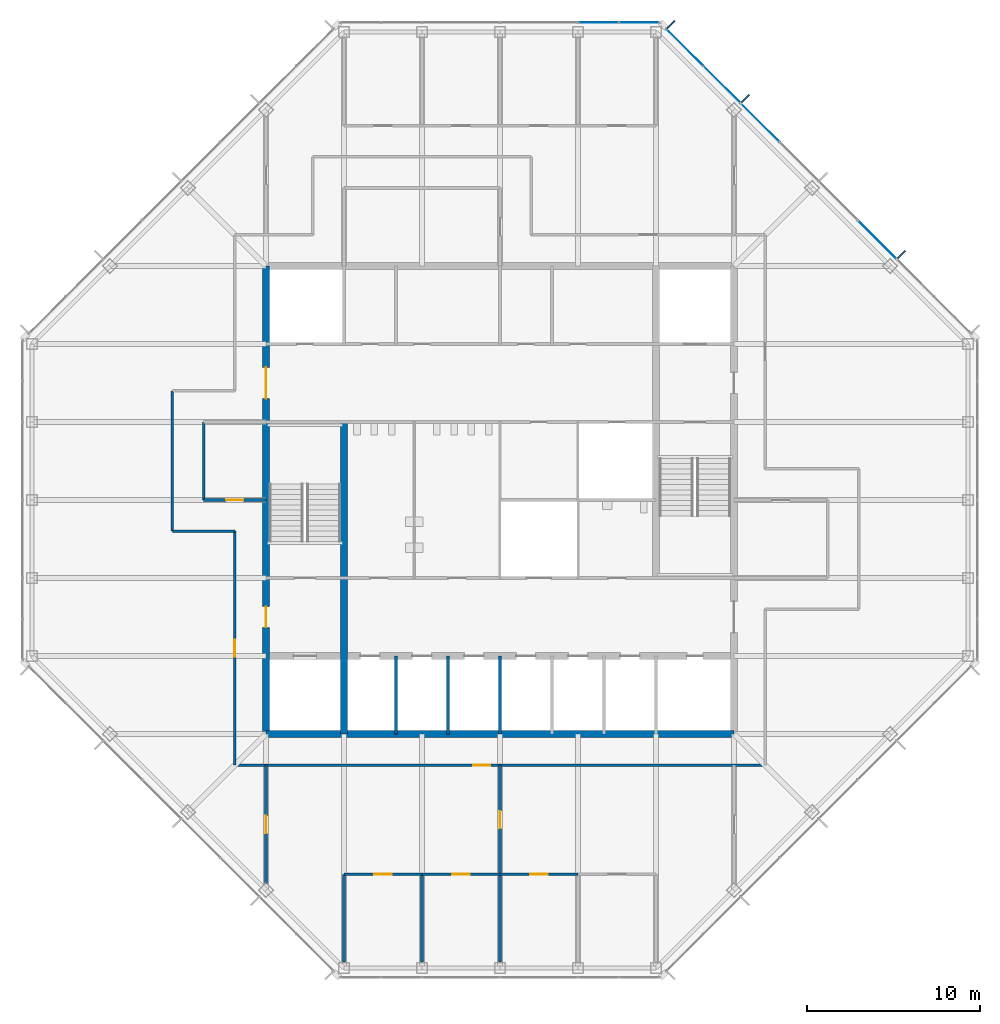
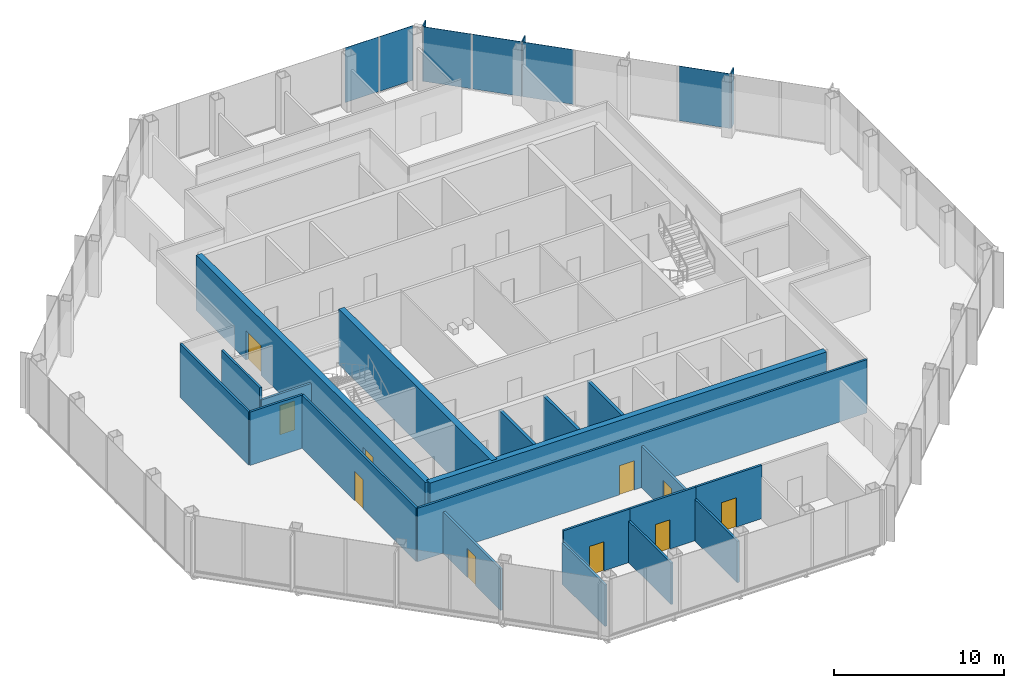
# One storey, part 9 of 14: 20 walls, 10 doors, 9 plates, 10 openings, 2 elements without a shape of their own.
"""IFC4 building model written with IfcOpenShell, lengths in metres."""

from ifc_helpers import new_model, si_unit, direction, frame, frame_2d, origin, origin_2d, place, context, subcontext, project, spatial, rectangle, extrude, material, layer, layer_set, type_object, element, fill, aggregate, save


model = new_model("IFC4")

# Units and contexts
model_context = context("Model", 3, precision=1e-05, world=origin(), true_north=direction((0.0, 1.0)))
body_context = subcontext(model_context, "Body", "Model", "MODEL_VIEW")
ifc_project = project(units=[si_unit("LENGTHUNIT", "METRE"), si_unit("AREAUNIT", "SQUARE_METRE"), si_unit("VOLUMEUNIT", "CUBIC_METRE"), si_unit("PLANEANGLEUNIT", "RADIAN"), si_unit("MASSUNIT", "GRAM", prefix="KILO")], contexts=[model_context])

# Site, building, storey
site_placement = place(None, origin())
site = spatial("IfcSite", under=ifc_project, at=site_placement, CompositionType="ELEMENT")
building_placement = place(site_placement, origin())
building = spatial("IfcBuilding", under=site, at=building_placement, Name="Corais Broadcast Tower", CompositionType="ELEMENT")
storey_placement = place(building_placement, frame((0.0, 0.0, 250.60009765625)))
storey = spatial("IfcBuildingStorey", under=building, at=storey_placement, Name="L58", CompositionType="ELEMENT", Elevation=250.60009765625)

# Curtain wall, plate
ifc_material_1 = material(Name="Aluminium and glass", Category="aluminium")
curtain_wall_type = type_object("IfcCurtainWallType", Name="Unitised fritted curtain wall CW3", PredefinedType="NOTDEFINED", material=ifc_material_1)
curtain_wall_1_placement = place(storey_placement, origin())
curtain_wall_1 = element("IfcCurtainWall", 1, at=curtain_wall_1_placement, inside=storey, type_object=curtain_wall_type, Name="CW3 curtain wall L58 4", PredefinedType="NOTDEFINED")
ifc_material_2 = material(Name="Ceramic-fritted laminated glass", Category="glass")
ifc_layer_1 = layer(ifc_material_2, 0.02587890625)
ifc_layer_set_1 = layer_set([ifc_layer_1], Name="Ceramic-fritted laminated glass")
plate_type_1 = type_object("IfcPlateType", Name="Fritted glass panel CW3", PredefinedType="CURTAIN_PANEL", material=ifc_layer_set_1)
plate_1_placement = place(storey_placement, frame((32.681884765625, 54.550048828125, 0.06494140625), z_axis=(0.0, 0.0, 1.0), x_axis=(1.0, 0.0, 0.0)))
plate_1 = element("IfcPlate", 2, at=plate_1_placement, type_object=plate_type_1, Name="CW3 panel 5", PredefinedType="CURTAIN_PANEL", context=body_context, shape_type="SweptSolid", body=[
    extrude(rectangle(XDim=2.298828125, YDim=0.02587890625, at=origin_2d()), origin(), (0.0, 0.0, 1.0), 3.93505859375),
])

# Curtain wall, plates
curtain_wall_2_placement = place(storey_placement, origin())
curtain_wall_2 = element("IfcCurtainWall", 3, at=curtain_wall_2_placement, inside=storey, type_object=curtain_wall_type, Name="CW3 curtain wall L58 5", PredefinedType="NOTDEFINED")
plate_2_placement = place(storey_placement, frame((37.669677734375, 53.108154296875, 0.06494140625), z_axis=(0.0, 0.0, 1.0), x_axis=(0.707106781187, -0.707106781187, 0.0)))
plate_2 = element("IfcPlate", 4, at=plate_2_placement, type_object=plate_type_1, Name="CW3 panel 1", PredefinedType="CURTAIN_PANEL", context=body_context, shape_type="SweptSolid", body=[
    extrude(rectangle(XDim=2.9482421875, YDim=0.02587890625, at=origin_2d()), origin(), (0.0, 0.0, 1.0), 3.93505859375),
])
plate_3_placement = place(storey_placement, frame((42.013916015625, 48.763916015625, 0.06494140625), z_axis=(0.0, 0.0, 1.0), x_axis=(0.707106781187, -0.707106781187, 0.0)))
plate_3 = element("IfcPlate", 5, at=plate_3_placement, type_object=plate_type_1, Name="CW3 panel 3", PredefinedType="CURTAIN_PANEL", context=body_context, shape_type="SweptSolid", body=[
    extrude(rectangle(XDim=3.116943359375, YDim=0.02587890625, at=origin_2d()), origin(), (0.0, 0.0, 1.0), 3.93505859375),
])

# Plate
ifc_material_3 = material(Name="Clear laminated glass", Category="glass")
ifc_layer_2 = layer(ifc_material_3, 0.030029296875)
ifc_layer_set_2 = layer_set([ifc_layer_2], Name="Clear laminated glass")
plate_type_2 = type_object("IfcPlateType", Name="Operable glass panel CW3", PredefinedType="CURTAIN_PANEL", material=ifc_layer_set_2)
plate_4_placement = place(storey_placement, frame((35.029541015625, 54.550048828125, 0.06494140625), z_axis=(0.0, 0.0, 1.0), x_axis=(1.0, 0.0, 0.0)))
plate_4 = element("IfcPlate", 6, at=plate_4_placement, type_object=plate_type_2, Name="CW3 operable panel 6", PredefinedType="CURTAIN_PANEL", context=body_context, shape_type="SweptSolid", body=[
    extrude(rectangle(XDim=2.266357421875, YDim=0.030029296875, at=origin_2d()), origin(), (0.0, 0.0, 1.0), 3.93505859375),
])

aggregate(curtain_wall_1, [plate_1, plate_4])

plate_5_placement = place(storey_placement, frame((39.81201171875, 50.9658203125, 0.06494140625), z_axis=(0.0, 0.0, 1.0), x_axis=(0.707106781187, -0.707106781187, 0.0)))
plate_5 = element("IfcPlate", 7, at=plate_5_placement, type_object=plate_type_2, Name="CW3 operable panel 2", PredefinedType="CURTAIN_PANEL", context=body_context, shape_type="SweptSolid", body=[
    extrude(rectangle(XDim=2.98095703125, YDim=0.030029296875, at=origin_2d()), origin(), (0.0, 0.0, 1.0), 3.93505859375),
])

plate_6_placement = place(storey_placement, frame((48.763916015625, 42.013916015625, 0.06494140625), z_axis=(0.0, 0.0, 1.0), x_axis=(0.707106781187, -0.707106781187, 0.0)))
plate_6 = element("IfcPlate", 8, at=plate_6_placement, type_object=plate_type_2, Name="CW3 operable panel 6", PredefinedType="CURTAIN_PANEL", context=body_context, shape_type="SweptSolid", body=[
    extrude(rectangle(XDim=3.116943359375, YDim=0.030029296875, at=origin_2d()), origin(), (0.0, 0.0, 1.0), 3.93505859375),
])

aggregate(curtain_wall_2, [plate_2, plate_5, plate_3, plate_6])

# Plates
ifc_material_4 = material(Name="Granite stone cladding", Category="masonry")
ifc_layer_3 = layer(ifc_material_4, 0.080078125)
ifc_layer_set_3 = layer_set([ifc_layer_3], Name="Granite stone cladding")
plate_type_3 = type_object("IfcPlateType", Name="Stone screen fin 80x600", PredefinedType="USERDEFINED", material=ifc_layer_set_3)
for number, where, z_axis, x_axis, name in (
    (9, (36.870849609375, 54.43994140625, 0.0), (0.0, 0.0, 1.0), (0.707106781187, -0.707106781187, 0.0), "SF1 stone screen fin L58"),
    (10, (41.155517578125, 50.155517578125, 0.0), (0.0, 0.0, 1.0), (0.707106781187, -0.707106781187, 0.0), "SF1 stone screen fin L58"),
    (11, (50.155517578125, 41.155517578125, 0.0), (0.0, 0.0, 1.0), (0.707106781187, -0.707106781187, 0.0), "SF1 stone screen fin L58"),
):
    element("IfcPlate", number, at=place(storey_placement, frame(where, z_axis=z_axis, x_axis=x_axis)), inside=storey, type_object=plate_type_3, Name=name, ObjectType="STONE SCREEN FIN", PredefinedType="USERDEFINED", context=body_context, shape_type="SweptSolid", body=[
        extrude(rectangle(XDim=0.080078125, YDim=0.60009765625, at=origin_2d()), origin(), (0.0, 0.0, 1.0), 4.0),
    ])

# Wall
ifc_material_5 = material(Name="Concrete C50/60", Category="concrete")
ifc_layer_4 = layer(ifc_material_5, 0.39990234375)
ifc_layer_set_4 = layer_set([ifc_layer_4], Name="Concrete C50/60")
wall_type_1 = type_object("IfcWallType", Name="Core wall 400", PredefinedType="SHEAR", material=ifc_layer_set_4)
wall_1_placement = place(storey_placement, frame((13.5, 13.5, 0.0), z_axis=(0.0, 0.0, 1.0), x_axis=(1.0, 0.0, 0.0)))
element("IfcWall", 12, at=wall_1_placement, inside=storey, type_object=wall_type_1, Name="CR400 core wall S L58", PredefinedType="SHEAR", context=body_context, shape_type="SweptSolid", body=[
    extrude(rectangle(XDim=27.0, YDim=0.39990234375, at=frame_2d((13.5, 0.0))), origin(), (0.0, 0.0, 1.0), 4.0),
])

# Wall, openings, doors
wall_2_placement = place(storey_placement, frame((13.5, 40.5, 0.0), z_axis=(0.0, 0.0, 1.0), x_axis=(0.0, -1.0, 0.0)))
wall_2 = element("IfcWall", 13, at=wall_2_placement, inside=storey, type_object=wall_type_1, Name="CR400 core wall W L58", PredefinedType="SHEAR", context=body_context, shape_type="SweptSolid", body=[
    extrude(rectangle(XDim=27.0, YDim=0.39990234375, at=frame_2d((13.5, 0.0))), origin(), (0.0, 0.0, 1.0), 4.0),
])
opening_1_placement = place(wall_2_placement, frame((19.64990234375, 0.0, 0.0)))
opening_1 = element("IfcOpeningElement", 14, at=opening_1_placement, cuts=wall_2, Name="Opening FD1", PredefinedType="OPENING", context=body_context, shape_type="SweptSolid", body=[
    extrude(rectangle(XDim=1.199951171875, YDim=2.10009765625, at=frame_2d((0.60009765625, 1.050048828125))), frame((0.0, 0.2099609375, 0.0), z_axis=(0.0, -1.0, 0.0), x_axis=(1.0, 0.0, 0.0)), (0.0, 0.0, 1.0), 0.419921875),
])
opening_2_placement = place(wall_2_placement, frame((5.85009765625, 0.0, 0.0)))
opening_2 = element("IfcOpeningElement", 15, at=opening_2_placement, cuts=wall_2, Name="Opening FD2", PredefinedType="OPENING", context=body_context, shape_type="SweptSolid", body=[
    extrude(rectangle(XDim=1.800048828125, YDim=2.10009765625, at=frame_2d((0.89990234375, 1.050048828125))), frame((0.0, 0.2099609375, 0.0), z_axis=(0.0, -1.0, 0.0), x_axis=(1.0, 0.0, 0.0)), (0.0, 0.0, 1.0), 0.419921875),
])
ifc_material_6 = material(Name="Steel fire door", Category="steel")
door_type_1 = type_object("IfcDoorType", Name="Fire door 1200x2100", OperationType="SINGLE_SWING_LEFT", PredefinedType="DOOR", material=ifc_material_6)
door_1_placement = place(opening_1_placement, origin())
door_1 = element("IfcDoor", 16, at=door_1_placement, inside=storey, type_object=door_type_1, Name="FD1 fire lobby A door L58", OperationType="SINGLE_SWING_RIGHT", OverallHeight=2.10009765625, OverallWidth=1.199951171875, PredefinedType="DOOR", context=body_context, shape_type="SweptSolid", body=[
    extrude(rectangle(XDim=1.199951171875, YDim=2.10009765625, at=frame_2d((0.60009765625, 1.050048828125))), frame((0.0, 0.02490234375, 0.0), z_axis=(0.0, -1.0, 0.0), x_axis=(1.0, 0.0, 0.0)), (0.0, 0.0, 1.0), 0.050048828125),
])
fill(opening_1, door_1)
ifc_material_7 = material(Name="Steel fire door", Category="steel")
door_type_2 = type_object("IfcDoorType", Name="Fire door pair 1800x2100", OperationType="DOUBLE_DOOR_SINGLE_SWING", PredefinedType="DOOR", material=ifc_material_7)
door_2_placement = place(opening_2_placement, origin())
door_2 = element("IfcDoor", 17, at=door_2_placement, inside=storey, type_object=door_type_2, Name="FD2 lift lobby door L58", OperationType="SINGLE_SWING_LEFT", OverallHeight=2.10009765625, OverallWidth=1.800048828125, PredefinedType="DOOR", context=body_context, shape_type="SweptSolid", body=[
    extrude(rectangle(XDim=1.800048828125, YDim=2.10009765625, at=frame_2d((0.89990234375, 1.050048828125))), frame((0.0, 0.02490234375, 0.0), z_axis=(0.0, -1.0, 0.0), x_axis=(1.0, 0.0, 0.0)), (0.0, 0.0, 1.0), 0.050048828125),
])
fill(opening_2, door_2)

# Wall
wall_3_placement = place(storey_placement, frame((18.0, 13.5, 0.0), z_axis=(0.0, 0.0, 1.0), x_axis=(0.0, 1.0, 0.0)))
element("IfcWall", 18, at=wall_3_placement, inside=storey, type_object=wall_type_1, Name="CR400 core wall X18A L58", PredefinedType="SHEAR", context=body_context, shape_type="SweptSolid", body=[
    extrude(rectangle(XDim=18.0, YDim=0.39990234375, at=frame_2d((9.0, 0.0))), origin(), (0.0, 0.0, 1.0), 4.0),
])

# Wall, opening, door
ifc_material_8 = material(Name="Gypsum board on steel studs", Category="steel")
ifc_layer_5 = layer(ifc_material_8, 0.14990234375)
ifc_layer_set_5 = layer_set([ifc_layer_5], Name="Gypsum board on steel studs")
wall_type_2 = type_object("IfcWallType", Name="Partition 150", PredefinedType="PARTITIONING", material=ifc_layer_set_5)
wall_4_placement = place(storey_placement, frame((11.699951171875, 11.699951171875, 0.0), z_axis=(0.0, 0.0, 1.0), x_axis=(1.0, 0.0, 0.0)))
wall_4 = element("IfcWall", 19, at=wall_4_placement, inside=storey, type_object=wall_type_2, Name="IW3 corridor wall L58", PredefinedType="PARTITIONING", context=body_context, shape_type="SweptSolid", body=[
    extrude(rectangle(XDim=30.60009765625, YDim=0.14990234375, at=frame_2d((15.300048828125, 0.0))), origin(), (0.0, 0.0, 1.0), 3.83984375),
])
opening_3_placement = place(wall_4_placement, frame((13.75, 0.0, 0.0)))
opening_3 = element("IfcOpeningElement", 20, at=opening_3_placement, cuts=wall_4, Name="Opening D1", PredefinedType="OPENING", context=body_context, shape_type="SweptSolid", body=[
    extrude(rectangle(XDim=1.0, YDim=2.10009765625, at=frame_2d((0.5, 1.050048828125))), frame((0.0, 0.0849609375, 0.0), z_axis=(0.0, -1.0, 0.0), x_axis=(1.0, 0.0, 0.0)), (0.0, 0.0, 1.0), 0.169921875),
])
ifc_material_9 = material(Name="Timber door", Category="wood")
door_type_3 = type_object("IfcDoorType", Name="Single door 1000x2100", OperationType="SINGLE_SWING_LEFT", PredefinedType="DOOR", material=ifc_material_9)
door_3_placement = place(opening_3_placement, origin())
door_3 = element("IfcDoor", 21, at=door_3_placement, inside=storey, type_object=door_type_3, Name="D1 workplace door L58", OperationType="SINGLE_SWING_LEFT", OverallHeight=2.10009765625, OverallWidth=1.0, PredefinedType="DOOR", context=body_context, shape_type="SweptSolid", body=[
    extrude(rectangle(XDim=1.0, YDim=2.10009765625, at=frame_2d((0.5, 1.050048828125))), frame((0.0, 0.02490234375, 0.0), z_axis=(0.0, -1.0, 0.0), x_axis=(1.0, 0.0, 0.0)), (0.0, 0.0, 1.0), 0.050048828125),
])
fill(opening_3, door_3)

wall_5_placement = place(storey_placement, frame((11.699951171875, 25.199951171875, 0.0), z_axis=(0.0, 0.0, 1.0), x_axis=(0.0, -1.0, 0.0)))
wall_5 = element("IfcWall", 22, at=wall_5_placement, inside=storey, type_object=wall_type_2, Name="IW3 corridor wall L58", PredefinedType="PARTITIONING", context=body_context, shape_type="SweptSolid", body=[
    extrude(rectangle(XDim=13.5, YDim=0.14990234375, at=frame_2d((6.75, 0.0))), origin(), (0.0, 0.0, 1.0), 3.83984375),
])
opening_4_placement = place(wall_5_placement, frame((6.25, 0.0, 0.0)))
opening_4 = element("IfcOpeningElement", 23, at=opening_4_placement, cuts=wall_5, Name="Opening D1", PredefinedType="OPENING", context=body_context, shape_type="SweptSolid", body=[
    extrude(rectangle(XDim=1.0, YDim=2.10009765625, at=frame_2d((0.5, 1.050048828125))), frame((0.0, 0.0849609375, 0.0), z_axis=(0.0, -1.0, 0.0), x_axis=(1.0, 0.0, 0.0)), (0.0, 0.0, 1.0), 0.169921875),
])
door_4_placement = place(opening_4_placement, origin())
door_4 = element("IfcDoor", 24, at=door_4_placement, inside=storey, type_object=door_type_3, Name="D1 workplace door L58", OperationType="SINGLE_SWING_LEFT", OverallHeight=2.10009765625, OverallWidth=1.0, PredefinedType="DOOR", context=body_context, shape_type="SweptSolid", body=[
    extrude(rectangle(XDim=1.0, YDim=2.10009765625, at=frame_2d((0.5, 1.050048828125))), frame((0.0, 0.02490234375, 0.0), z_axis=(0.0, -1.0, 0.0), x_axis=(1.0, 0.0, 0.0)), (0.0, 0.0, 1.0), 0.050048828125),
])
fill(opening_4, door_4)

# Walls
wall_6_placement = place(storey_placement, frame((8.10009765625, 33.300048828125, 0.0), z_axis=(0.0, 0.0, 1.0), x_axis=(0.0, -1.0, 0.0)))
element("IfcWall", 25, at=wall_6_placement, inside=storey, type_object=wall_type_2, Name="IW3 corridor wall L58", PredefinedType="PARTITIONING", context=body_context, shape_type="SweptSolid", body=[
    extrude(rectangle(XDim=8.10009765625, YDim=0.14990234375, at=frame_2d((4.050048828125, 0.0))), origin(), (0.0, 0.0, 1.0), 3.83984375),
])
wall_7_placement = place(storey_placement, frame((8.10009765625, 25.199951171875, 0.0), z_axis=(0.0, 0.0, 1.0), x_axis=(1.0, 0.0, 0.0)))
element("IfcWall", 26, at=wall_7_placement, inside=storey, type_object=wall_type_2, Name="IW3 corridor wall L58", PredefinedType="PARTITIONING", context=body_context, shape_type="SweptSolid", body=[
    extrude(rectangle(XDim=3.599853515625, YDim=0.14990234375, at=frame_2d((1.7998046875, 0.0))), origin(), (0.0, 0.0, 1.0), 3.83984375),
])
wall_8_placement = place(storey_placement, frame((22.5, 0.3349609375, 0.0), z_axis=(0.0, 0.0, 1.0), x_axis=(0.0, 1.0, 0.0)))
element("IfcWall", 27, at=wall_8_placement, inside=storey, type_object=wall_type_2, Name="IW3 partition L58", PredefinedType="PARTITIONING", context=body_context, shape_type="SweptSolid", body=[
    extrude(rectangle(XDim=5.06494140625, YDim=0.14990234375, at=frame_2d((2.532470703125, 0.0))), origin(), (0.0, 0.0, 1.0), 2.989013671875),
])

# Wall, opening, door
wall_9_placement = place(storey_placement, frame((22.5, 5.39990234375, 0.0), z_axis=(0.0, 0.0, 1.0), x_axis=(-1.0, 0.0, 0.0)))
wall_9 = element("IfcWall", 28, at=wall_9_placement, inside=storey, type_object=wall_type_2, Name="IW3 partition L58", PredefinedType="PARTITIONING", context=body_context, shape_type="SweptSolid", body=[
    extrude(rectangle(XDim=4.5, YDim=0.14990234375, at=frame_2d((2.25, 0.0))), origin(), (0.0, 0.0, 1.0), 3.83984375),
])
opening_5_placement = place(wall_9_placement, frame((1.75, 0.0, 0.0)))
opening_5 = element("IfcOpeningElement", 29, at=opening_5_placement, cuts=wall_9, Name="Opening D1", PredefinedType="OPENING", context=body_context, shape_type="SweptSolid", body=[
    extrude(rectangle(XDim=1.0, YDim=2.10009765625, at=frame_2d((0.5, 1.050048828125))), frame((0.0, 0.0849609375, 0.0), z_axis=(0.0, -1.0, 0.0), x_axis=(1.0, 0.0, 0.0)), (0.0, 0.0, 1.0), 0.169921875),
])
door_5_placement = place(opening_5_placement, origin())
door_5 = element("IfcDoor", 30, at=door_5_placement, inside=storey, type_object=door_type_3, Name="D1 Office door", OperationType="SINGLE_SWING_LEFT", OverallHeight=2.10009765625, OverallWidth=1.0, PredefinedType="DOOR", context=body_context, shape_type="SweptSolid", body=[
    extrude(rectangle(XDim=1.0, YDim=2.10009765625, at=frame_2d((0.5, 1.050048828125))), frame((0.0, 0.02490234375, 0.0), z_axis=(0.0, -1.0, 0.0), x_axis=(1.0, 0.0, 0.0)), (0.0, 0.0, 1.0), 0.050048828125),
])
fill(opening_5, door_5)

# Walls
for number, where, z_axis, x_axis, name in (
    (31, (18.0, 5.39990234375, 0.0), (0.0, 0.0, 1.0), (0.0, -1.0, 0.0), "IW3 partition L58"),
    (32, (27.0, 0.3349609375, 0.0), (0.0, 0.0, 1.0), (0.0, 1.0, 0.0), "IW3 partition L58"),
):
    element("IfcWall", number, at=place(storey_placement, frame(where, z_axis=z_axis, x_axis=x_axis)), inside=storey, type_object=wall_type_2, Name=name, PredefinedType="PARTITIONING", context=body_context, shape_type="SweptSolid", body=[
        extrude(rectangle(XDim=5.06494140625, YDim=0.14990234375, at=frame_2d((2.532470703125, 0.0))), origin(), (0.0, 0.0, 1.0), 2.989013671875),
    ])

# Wall, opening, door
wall_10_placement = place(storey_placement, frame((27.0, 5.39990234375, 0.0), z_axis=(0.0, 0.0, 1.0), x_axis=(-1.0, 0.0, 0.0)))
wall_10 = element("IfcWall", 33, at=wall_10_placement, inside=storey, type_object=wall_type_2, Name="IW3 partition L58", PredefinedType="PARTITIONING", context=body_context, shape_type="SweptSolid", body=[
    extrude(rectangle(XDim=4.5, YDim=0.14990234375, at=frame_2d((2.25, 0.0))), origin(), (0.0, 0.0, 1.0), 3.83984375),
])
opening_6_placement = place(wall_10_placement, frame((1.75, 0.0, 0.0)))
opening_6 = element("IfcOpeningElement", 34, at=opening_6_placement, cuts=wall_10, Name="Opening D1", PredefinedType="OPENING", context=body_context, shape_type="SweptSolid", body=[
    extrude(rectangle(XDim=1.0, YDim=2.10009765625, at=frame_2d((0.5, 1.050048828125))), frame((0.0, 0.0849609375, 0.0), z_axis=(0.0, -1.0, 0.0), x_axis=(1.0, 0.0, 0.0)), (0.0, 0.0, 1.0), 0.169921875),
])
door_6_placement = place(opening_6_placement, origin())
door_6 = element("IfcDoor", 35, at=door_6_placement, inside=storey, type_object=door_type_3, Name="D1 Office door", OperationType="SINGLE_SWING_LEFT", OverallHeight=2.10009765625, OverallWidth=1.0, PredefinedType="DOOR", context=body_context, shape_type="SweptSolid", body=[
    extrude(rectangle(XDim=1.0, YDim=2.10009765625, at=frame_2d((0.5, 1.050048828125))), frame((0.0, 0.02490234375, 0.0), z_axis=(0.0, -1.0, 0.0), x_axis=(1.0, 0.0, 0.0)), (0.0, 0.0, 1.0), 0.050048828125),
])
fill(opening_6, door_6)

wall_11_placement = place(storey_placement, frame((31.5, 5.39990234375, 0.0), z_axis=(0.0, 0.0, 1.0), x_axis=(-1.0, 0.0, 0.0)))
wall_11 = element("IfcWall", 36, at=wall_11_placement, inside=storey, type_object=wall_type_2, Name="IW3 partition L58", PredefinedType="PARTITIONING", context=body_context, shape_type="SweptSolid", body=[
    extrude(rectangle(XDim=4.5, YDim=0.14990234375, at=frame_2d((2.25, 0.0))), origin(), (0.0, 0.0, 1.0), 3.83984375),
])
opening_7_placement = place(wall_11_placement, frame((1.75, 0.0, 0.0)))
opening_7 = element("IfcOpeningElement", 37, at=opening_7_placement, cuts=wall_11, Name="Opening D1", PredefinedType="OPENING", context=body_context, shape_type="SweptSolid", body=[
    extrude(rectangle(XDim=1.0, YDim=2.10009765625, at=frame_2d((0.5, 1.050048828125))), frame((0.0, 0.0849609375, 0.0), z_axis=(0.0, -1.0, 0.0), x_axis=(1.0, 0.0, 0.0)), (0.0, 0.0, 1.0), 0.169921875),
])
door_7_placement = place(opening_7_placement, origin())
door_7 = element("IfcDoor", 38, at=door_7_placement, inside=storey, type_object=door_type_3, Name="D1 Office door", OperationType="SINGLE_SWING_LEFT", OverallHeight=2.10009765625, OverallWidth=1.0, PredefinedType="DOOR", context=body_context, shape_type="SweptSolid", body=[
    extrude(rectangle(XDim=1.0, YDim=2.10009765625, at=frame_2d((0.5, 1.050048828125))), frame((0.0, 0.02490234375, 0.0), z_axis=(0.0, -1.0, 0.0), x_axis=(1.0, 0.0, 0.0)), (0.0, 0.0, 1.0), 0.050048828125),
])
fill(opening_7, door_7)

wall_12_placement = place(storey_placement, frame((9.89990234375, 27.0, 0.0), z_axis=(0.0, 0.0, 1.0), x_axis=(1.0, 0.0, 0.0)))
wall_12 = element("IfcWall", 39, at=wall_12_placement, inside=storey, type_object=wall_type_2, Name="IW3 partition L58", PredefinedType="PARTITIONING", context=body_context, shape_type="SweptSolid", body=[
    extrude(rectangle(XDim=3.60009765625, YDim=0.14990234375, at=frame_2d((1.800048828125, 0.0))), origin(), (0.0, 0.0, 1.0), 2.989013671875),
])
opening_8_placement = place(wall_12_placement, frame((1.300048828125, 0.0, 0.0)))
opening_8 = element("IfcOpeningElement", 40, at=opening_8_placement, cuts=wall_12, Name="Opening D1", PredefinedType="OPENING", context=body_context, shape_type="SweptSolid", body=[
    extrude(rectangle(XDim=1.0, YDim=2.10009765625, at=frame_2d((0.5, 1.050048828125))), frame((0.0, 0.0849609375, 0.0), z_axis=(0.0, -1.0, 0.0), x_axis=(1.0, 0.0, 0.0)), (0.0, 0.0, 1.0), 0.169921875),
])
door_8_placement = place(opening_8_placement, origin())
door_8 = element("IfcDoor", 41, at=door_8_placement, inside=storey, type_object=door_type_3, Name="D1 Pantry door", OperationType="SINGLE_SWING_LEFT", OverallHeight=2.10009765625, OverallWidth=1.0, PredefinedType="DOOR", context=body_context, shape_type="SweptSolid", body=[
    extrude(rectangle(XDim=1.0, YDim=2.10009765625, at=frame_2d((0.5, 1.050048828125))), frame((0.0, 0.02490234375, 0.0), z_axis=(0.0, -1.0, 0.0), x_axis=(1.0, 0.0, 0.0)), (0.0, 0.0, 1.0), 0.050048828125),
])
fill(opening_8, door_8)

# Wall
wall_13_placement = place(storey_placement, frame((9.89990234375, 31.5, 0.0), z_axis=(0.0, 0.0, 1.0), x_axis=(0.0, -1.0, 0.0)))
element("IfcWall", 42, at=wall_13_placement, inside=storey, type_object=wall_type_2, Name="IW3 partition L58", PredefinedType="PARTITIONING", context=body_context, shape_type="SweptSolid", body=[
    extrude(rectangle(XDim=4.5, YDim=0.14990234375, at=frame_2d((2.25, 0.0))), origin(), (0.0, 0.0, 1.0), 3.83984375),
])

# Wall, opening, door
wall_14_placement = place(storey_placement, frame((13.5, 4.844970703125, 0.0), z_axis=(0.0, 0.0, 1.0), x_axis=(0.0, 1.0, 0.0)))
wall_14 = element("IfcWall", 43, at=wall_14_placement, inside=storey, type_object=wall_type_2, Name="IW3 partition L58", PredefinedType="PARTITIONING", context=body_context, shape_type="SweptSolid", body=[
    extrude(rectangle(XDim=6.85498046875, YDim=0.14990234375, at=frame_2d((3.427490234375, 0.0))), origin(), (0.0, 0.0, 1.0), 2.989013671875),
])
opening_9_placement = place(wall_14_placement, frame((2.927490234375, 0.0, 0.0)))
opening_9 = element("IfcOpeningElement", 44, at=opening_9_placement, cuts=wall_14, Name="Opening D1", PredefinedType="OPENING", context=body_context, shape_type="SweptSolid", body=[
    extrude(rectangle(XDim=1.0, YDim=2.10009765625, at=frame_2d((0.5, 1.050048828125))), frame((0.0, 0.0849609375, 0.0), z_axis=(0.0, -1.0, 0.0), x_axis=(1.0, 0.0, 0.0)), (0.0, 0.0, 1.0), 0.169921875),
])
door_9_placement = place(opening_9_placement, origin())
door_9 = element("IfcDoor", 45, at=door_9_placement, inside=storey, type_object=door_type_3, Name="D1 team room door L58", OperationType="SINGLE_SWING_LEFT", OverallHeight=2.10009765625, OverallWidth=1.0, PredefinedType="DOOR", context=body_context, shape_type="SweptSolid", body=[
    extrude(rectangle(XDim=1.0, YDim=2.10009765625, at=frame_2d((0.5, 1.050048828125))), frame((0.0, 0.02490234375, 0.0), z_axis=(0.0, -1.0, 0.0), x_axis=(1.0, 0.0, 0.0)), (0.0, 0.0, 1.0), 0.050048828125),
])
fill(opening_9, door_9)

wall_15_placement = place(storey_placement, frame((27.0, 11.699951171875, 0.0), z_axis=(0.0, 0.0, 1.0), x_axis=(0.0, -1.0, 0.0)))
wall_15 = element("IfcWall", 46, at=wall_15_placement, inside=storey, type_object=wall_type_2, Name="IW3 partition L58", PredefinedType="PARTITIONING", context=body_context, shape_type="SweptSolid", body=[
    extrude(rectangle(XDim=6.300048828125, YDim=0.14990234375, at=frame_2d((3.14990234375, 0.0))), origin(), (0.0, 0.0, 1.0), 2.989013671875),
])
opening_10_placement = place(wall_15_placement, frame((2.64990234375, 0.0, 0.0)))
opening_10 = element("IfcOpeningElement", 47, at=opening_10_placement, cuts=wall_15, Name="Opening D1", PredefinedType="OPENING", context=body_context, shape_type="SweptSolid", body=[
    extrude(rectangle(XDim=1.0, YDim=2.10009765625, at=frame_2d((0.5, 1.050048828125))), frame((0.0, 0.0849609375, 0.0), z_axis=(0.0, -1.0, 0.0), x_axis=(1.0, 0.0, 0.0)), (0.0, 0.0, 1.0), 0.169921875),
])
door_10_placement = place(opening_10_placement, origin())
door_10 = element("IfcDoor", 48, at=door_10_placement, inside=storey, type_object=door_type_3, Name="D1 team room door L58", OperationType="SINGLE_SWING_LEFT", OverallHeight=2.10009765625, OverallWidth=1.0, PredefinedType="DOOR", context=body_context, shape_type="SweptSolid", body=[
    extrude(rectangle(XDim=1.0, YDim=2.10009765625, at=frame_2d((0.5, 1.050048828125))), frame((0.0, 0.02490234375, 0.0), z_axis=(0.0, -1.0, 0.0), x_axis=(1.0, 0.0, 0.0)), (0.0, 0.0, 1.0), 0.050048828125),
])
fill(opening_10, door_10)

# Walls
ifc_material_10 = material(Name="Concrete blockwork class A, grouted, two-hour", Category="masonry")
ifc_layer_6 = layer(ifc_material_10, 0.199951171875)
ifc_layer_set_6 = layer_set([ifc_layer_6], Name="Concrete blockwork class A, grouted, two-hour")
wall_type_3 = type_object("IfcWallType", Name="Shaft wall 200", PredefinedType="PARTITIONING", material=ifc_layer_set_6)
for number, where, z_axis, x_axis, name in (
    (49, (21.0, 13.5, 0.0), (0.0, 0.0, 1.0), (0.0, 1.0, 0.0), "IW1 shaft wall L58"),
    (50, (24.0, 13.5, 0.0), (0.0, 0.0, 1.0), (0.0, 1.0, 0.0), "IW1 shaft wall L58"),
    (51, (27.0, 13.5, 0.0), (0.0, 0.0, 1.0), (0.0, 1.0, 0.0), "IW1 shaft wall L58"),
):
    element("IfcWall", number, at=place(storey_placement, frame(where, z_axis=z_axis, x_axis=x_axis)), inside=storey, type_object=wall_type_3, Name=name, PredefinedType="PARTITIONING", context=body_context, shape_type="SweptSolid", body=[
        extrude(rectangle(XDim=4.5, YDim=0.199951171875, at=frame_2d((2.25, 0.0))), origin(), (0.0, 0.0, 1.0), 3.83984375),
    ])

save(model, "model.ifc")
